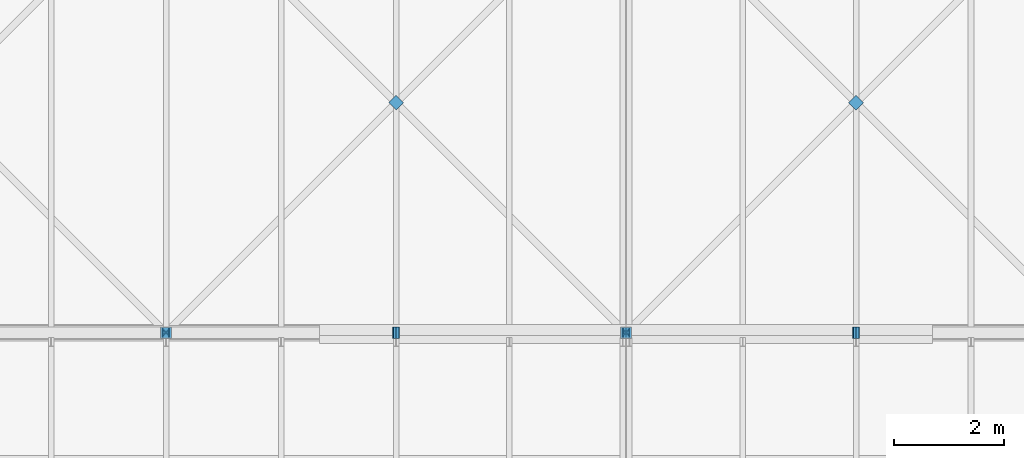
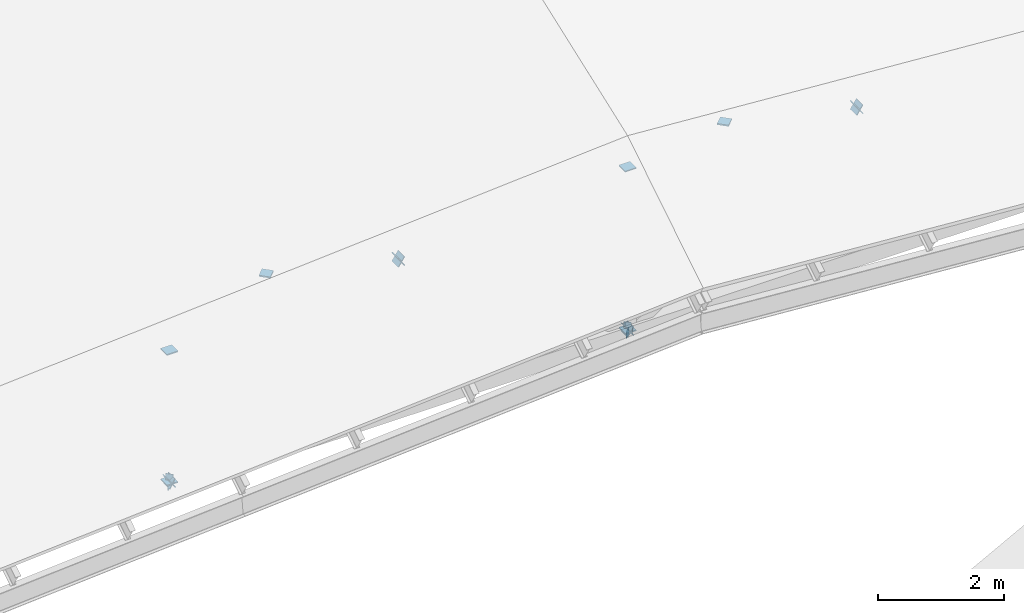
# One storey, part 62 of 76: 18 discrete accessories.
"""IFC4 building model written with IfcOpenShell, lengths in metres."""

import ifcopenshell
import ifcopenshell.guid

model = None  # the IFC model being written
_history = None  # IfcOwnerHistory: only IFC2X3 demands one
_inside = {}  # id of a spatial element -> (the spatial element, [elements in it])
_under = {}  # id of a project, library or spatial element -> (it, [spatial elements below it])
_declared = {}  # id of a project -> (the project, [libraries it declares])
_typed = {}  # id of a type object -> (the type object, [elements of that type])
_made_of = {}  # id of a material, layer set ... -> (it, [elements and type objects made of it])


def new_model(schema):
    """Start an empty IFC model of exactly this schema.

    Asked for "IFC4X3", IfcOpenShell would pick the latest addendum, in which some entities
    have other attributes; the version numbers below select the first issue.
    IFC2X3 requires an IfcOwnerHistory on every rooted entity: one is made here for all.
    """
    global model, _history
    if schema == "IFC4X3":
        model = ifcopenshell.file(schema_version=(4, 3, 0, 0))
    else:
        model = ifcopenshell.file(schema=schema)
    _inside.clear()
    _under.clear()
    _declared.clear()
    _typed.clear()
    _made_of.clear()
    _history = None
    if model.schema == "IFC2X3":
        org = make("IfcOrganization", Name="unknown")
        user = make(
            "IfcPersonAndOrganization",
            ThePerson=make("IfcPerson", FamilyName="unknown"),
            TheOrganization=org,
        )
        app = make(
            "IfcApplication",
            ApplicationDeveloper=org,
            Version="unknown",
            ApplicationFullName="unknown",
            ApplicationIdentifier="unknown",
        )
        _history = make(
            "IfcOwnerHistory",
            OwningUser=user,
            OwningApplication=app,
            ChangeAction="ADDED",
            CreationDate=0,
        )
    return model


def make(cls, **values):
    """One entity of the class cls with the attributes given. An attribute that is None is left unset."""
    return model.create_entity(
        cls, **{name: value for name, value in values.items() if value is not None}
    )


def rooted(cls, **values):
    """An entity with a GlobalId (a new one), such as an element, a storey or a relation."""
    return make(cls, GlobalId=ifcopenshell.guid.new(), OwnerHistory=_history, **values)


def si_unit(unit_type, name, prefix=None):
    """IfcSIUnit, for example si_unit("LENGTHUNIT", "METRE", prefix="MILLI")."""
    return make("IfcSIUnit", UnitType=unit_type, Prefix=prefix, Name=name)


def assignment(units):
    """IfcUnitAssignment: the units of a project."""
    return None if units is None else make("IfcUnitAssignment", Units=units)


def point(xyz):
    """IfcCartesianPoint."""
    return None if xyz is None else make("IfcCartesianPoint", Coordinates=xyz)


def direction(xyz):
    """IfcDirection."""
    return None if xyz is None else make("IfcDirection", DirectionRatios=xyz)


def frame(location, z_axis=None, x_axis=None):
    """IfcAxis2Placement3D, a coordinate frame: its origin and axes. An axis left out is left unset."""
    return make(
        "IfcAxis2Placement3D",
        Location=point(location),
        Axis=direction(z_axis),
        RefDirection=direction(x_axis),
    )


def frame_2d(location, x_axis=None):
    """IfcAxis2Placement2D, a coordinate frame in the plane: its origin and x axis."""
    return make(
        "IfcAxis2Placement2D", Location=point(location), RefDirection=direction(x_axis)
    )


def origin():
    """The frame at (0, 0, 0) with its axes left unset."""
    return frame((0.0, 0.0, 0.0))


def origin_2d():
    """The frame at (0, 0) in the plane with its x axis left unset."""
    return frame_2d((0.0, 0.0))


def place(relative_to, where):
    """IfcLocalPlacement: puts the frame where relative to a parent placement (None: the world)."""
    return make(
        "IfcLocalPlacement", PlacementRelTo=relative_to, RelativePlacement=where
    )


def context(
    kind, dimensions, precision=None, world=None, true_north=None, identifier=None
):
    """IfcGeometricRepresentationContext, for example the 3D "Model" context."""
    return make(
        "IfcGeometricRepresentationContext",
        ContextIdentifier=identifier,
        ContextType=kind,
        CoordinateSpaceDimension=dimensions,
        Precision=precision,
        WorldCoordinateSystem=world,
        TrueNorth=true_north,
    )


def subcontext(parent, identifier, kind, view, scale=None):
    """IfcGeometricRepresentationSubContext, for example "Body" below "Model"."""
    return make(
        "IfcGeometricRepresentationSubContext",
        ContextIdentifier=identifier,
        ContextType=kind,
        ParentContext=parent,
        TargetScale=scale,
        TargetView=view,
    )


def project(units=None, contexts=None):
    """IfcProject with its units and contexts."""
    return rooted(
        "IfcProject",
        Name="project",
        RepresentationContexts=contexts,
        UnitsInContext=assignment(units),
    )


def spatial(cls, under=None, at=None, **own):
    """A site, building, storey or space (cls), placed at a placement, below another one or the project."""
    s = rooted(cls, ObjectPlacement=at, **own)
    if under is not None:
        _under.setdefault(under.id(), (under, []))[1].append(s)
    return s


def profile(cls, at=None, kind="AREA", **sizes):
    """A parametric profile (cls). Its sizes go by their IFC names, for example OverallWidth=200.0."""
    return make(cls, ProfileType=kind, Position=at, **sizes)


def rectangle(**sizes):
    """IfcRectangleProfileDef."""
    return profile("IfcRectangleProfileDef", **sizes)


def extrude(swept, where, along, depth):
    """IfcExtrudedAreaSolid: the profile swept, set in the frame where, extruded along a direction by depth."""
    return make(
        "IfcExtrudedAreaSolid",
        SweptArea=swept,
        Position=where,
        ExtrudedDirection=direction(along),
        Depth=depth,
    )


def shape(context_of_items, identifier, shape_type, items):
    """IfcShapeRepresentation: the items that make up one representation, for example the "Body"."""
    return make(
        "IfcShapeRepresentation",
        ContextOfItems=context_of_items,
        RepresentationIdentifier=identifier,
        RepresentationType=shape_type,
        Items=items,
    )


def material(Name=None, Category=None):
    """IfcMaterial."""
    return make("IfcMaterial", Name=Name, Category=Category)


def made_of(thing, what):
    """Note that an element or type object is made of a material, layer set ...; save() writes the relation."""
    if what is not None:
        _made_of.setdefault(what.id(), (what, []))[1].append(thing)
    return thing


def element(
    cls,
    number,
    at=None,
    inside=None,
    cuts=None,
    type_object=None,
    material=None,
    context=None,
    identifier="Body",
    shape_type=None,
    held_by="IfcProductDefinitionShape",
    body=None,
    shapes=None,
    **own,
):
    """One element of the class cls, such as IfcWall. Its Tag is "e" and its number.

    at: its placement. inside: the storey or other place that contains it. cuts: it is an
    opening in that element (IfcRelVoidsElement). A single representation is given by context,
    identifier, shape_type and body (its items); several are given by shapes. held_by: the class
    of the entity that holds the representations. save() writes the other relations.
    """
    e = rooted(cls, Tag="e%d" % number, ObjectPlacement=at, **own)
    if body is not None:
        shapes = [shape(context, identifier, shape_type, body)]
    if shapes is not None:
        e.Representation = make(held_by, Representations=shapes)
    if inside is not None:
        _inside.setdefault(inside.id(), (inside, []))[1].append(e)
    if cuts is not None:
        rooted(
            "IfcRelVoidsElement", RelatingBuildingElement=cuts, RelatedOpeningElement=e
        )
    if type_object is not None:
        _typed.setdefault(type_object.id(), (type_object, []))[1].append(e)
    return made_of(e, material)


def aggregate(whole, parts):
    """IfcRelAggregates: a whole, such as a stair, and the parts it consists of."""
    return rooted("IfcRelAggregates", RelatingObject=whole, RelatedObjects=parts)


def save(model, path):
    """Write the relations noted so far, then the file.

    IfcRelAggregates (storeys below a building ...), IfcRelContainedInSpatialStructure (elements
    in a storey), IfcRelDefinesByType, IfcRelAssociatesMaterial and IfcRelDeclares: one each for
    every whole, place, type object, material and project.
    """
    for whole, parts in _under.values():
        aggregate(whole, parts)
    for where, things in _inside.values():
        rooted(
            "IfcRelContainedInSpatialStructure",
            RelatedElements=things,
            RelatingStructure=where,
        )
    for kind, things in _typed.values():
        rooted("IfcRelDefinesByType", RelatedObjects=things, RelatingType=kind)
    for what, things in _made_of.values():
        rooted("IfcRelAssociatesMaterial", RelatedObjects=things, RelatingMaterial=what)
    for by, libraries in _declared.values():
        rooted("IfcRelDeclares", RelatingContext=by, RelatedDefinitions=libraries)
    model.write(path)


model = new_model("IFC4")

# Units and contexts
model_context = context("Model", 3, precision=1e-05, world=origin(), true_north=direction((0.0, 1.0)))
body_context = subcontext(model_context, "Body", "Model", "MODEL_VIEW")
ifc_project = project(units=[si_unit("LENGTHUNIT", "METRE"), si_unit("AREAUNIT", "SQUARE_METRE"), si_unit("VOLUMEUNIT", "CUBIC_METRE"), si_unit("PLANEANGLEUNIT", "RADIAN"), si_unit("MASSUNIT", "GRAM", prefix="KILO")], contexts=[model_context])

# Site, building, storey
site_placement = place(None, origin())
site = spatial("IfcSite", under=ifc_project, at=site_placement, CompositionType="ELEMENT")
building_placement = place(site_placement, origin())
building = spatial("IfcBuilding", under=site, at=building_placement, Name="Hlaing Beacon Police Headquarters", CompositionType="ELEMENT")
storey_placement = place(building_placement, frame((0.0, 0.0, 18.89990234375)))
storey = spatial("IfcBuildingStorey", under=building, at=storey_placement, Name="L04", CompositionType="ELEMENT", Elevation=18.89990234375)

# Discrete accessories
ifc_material = material(Name="Steel ASTM A572 Grade 50", Category="steel")
for number, where, z_axis, x_axis, name in (
    (1, (42.0, 75.60009765625, -2.53759765625), (0.0, 0.0, -1.0), (1.0, 0.0, 0.0), "Gusset plate GP-417"),
    (2, (42.0, 75.60009765625, -0.025634765625), (0.0, 0.0, 1.0), (1.0, 0.0, 0.0), "Gusset plate GP-418"),
    (3, (50.39990234375, 75.60009765625, -2.53759765625), (0.0, 0.0, -1.0), (1.0, 0.0, 0.0), "Gusset plate GP-419"),
    (4, (50.39990234375, 75.60009765625, 0.586181640625), (0.0, 0.0, 1.0), (1.0, 0.0, 0.0), "Gusset plate GP-420"),
):
    element("IfcDiscreteAccessory", number, at=place(storey_placement, frame(where, z_axis=z_axis, x_axis=x_axis)), inside=storey, material=ifc_material, Name=name, PredefinedType="BRACKET", context=body_context, shape_type="SweptSolid", body=[
        extrude(rectangle(XDim=0.203125, YDim=0.203125, at=origin_2d()), origin(), (0.0, 0.0, 1.0), 0.02001953125),
    ])
for number, where, z_axis, x_axis, name in (
    (5, (41.992919921875, 75.60009765625, -2.5439453125), (0.883053903014, 0.0, -0.469271567828), (0.0, 1.0, 0.0), "Gusset plate GP-428"),
    (6, (42.006591796875, 75.60009765625, -2.543212890625), (-0.829139670788, 0.0, -0.5590415068), (0.0, -1.0, 0.0), "Gusset plate GP-429"),
    (7, (46.193359375, 75.60009765625, 0.27978515625), (0.829139670788, 0.0, 0.5590415068), (0.0, 1.0, 0.0), "Gusset plate GP-430"),
    (8, (46.20654296875, 75.60009765625, 0.27978515625), (-0.829139670788, 0.0, 0.5590415068), (0.0, -1.0, 0.0), "Gusset plate GP-431"),
    (9, (50.393310546875, 75.60009765625, -2.543212890625), (0.829139670788, 0.0, -0.5590415068), (0.0, 1.0, 0.0), "Gusset plate GP-432"),
    (10, (50.406494140625, 75.60009765625, -2.543212890625), (-0.82915473289, 0.0, -0.559019166868), (0.0, -1.0, 0.0), "Gusset plate GP-433"),
    (11, (54.593505859375, 75.60009765625, 0.27978515625), (0.82915473289, 0.0, 0.559019166868), (0.0, 1.0, 0.0), "Gusset plate GP-434"),
    (12, (54.606689453125, 75.60009765625, 0.27978515625), (-0.829139670788, 0.0, 0.5590415068), (0.0, -1.0, 0.0), "Gusset plate GP-435"),
):
    element("IfcDiscreteAccessory", number, at=place(storey_placement, frame(where, z_axis=z_axis, x_axis=x_axis)), inside=storey, material=ifc_material, Name=name, PredefinedType="BRACKET", context=body_context, shape_type="SweptSolid", body=[
        extrude(rectangle(XDim=0.203125, YDim=0.203125, at=origin_2d()), origin(), (0.0, 0.0, 1.0), 0.01611328125),
    ])
for number, where, z_axis, x_axis, name in (
    (13, (41.99560546875, 75.6044921875, -2.62109375), (0.707106781187, -0.707106781187, 0.0), (0.707106781187, 0.707106781187, 0.0), "Gusset plate GP-496"),
    (14, (42.004150390625, 75.604248046875, -2.47412109375), (-0.707106781187, -0.707106781187, 0.0), (0.707106781187, -0.707106781187, 0.0), "Gusset plate GP-497"),
    (15, (50.3955078125, 75.6044921875, -2.62109375), (0.707106781187, -0.707106781187, 0.0), (0.707106781187, 0.707106781187, 0.0), "Gusset plate GP-500"),
    (16, (50.404052734375, 75.604248046875, -2.47412109375), (-0.707117056885, -0.707096505339, 0.0), (0.707096505339, -0.707117056885, 0.0), "Gusset plate GP-501"),
):
    element("IfcDiscreteAccessory", number, at=place(storey_placement, frame(where, z_axis=z_axis, x_axis=x_axis)), inside=storey, material=ifc_material, Name=name, PredefinedType="BRACKET", context=body_context, shape_type="SweptSolid", body=[
        extrude(rectangle(XDim=0.126953125, YDim=0.126953125, at=origin_2d()), origin(), (0.0, 0.0, 1.0), 0.011962890625),
    ])
for number, where, z_axis, x_axis, name in (
    (17, (46.199951171875, 79.800048828125, -2.560546875), (0.0, 0.0, 1.0), (0.707106781187, 0.707106781187, 0.0), "Node plate NP-010"),
    (18, (54.60009765625, 79.800048828125, -2.560546875), (0.0, 0.0, 1.0), (0.707106781187, 0.707106781187, 0.0), "Node plate NP-011"),
):
    element("IfcDiscreteAccessory", number, at=place(storey_placement, frame(where, z_axis=z_axis, x_axis=x_axis)), inside=storey, material=ifc_material, Name=name, PredefinedType="BRACKET", context=body_context, shape_type="SweptSolid", body=[
        extrude(rectangle(XDim=0.1904296875, YDim=0.1904296875, at=origin_2d()), origin(), (0.0, 0.0, 1.0), 0.02587890625),
    ])

save(model, "model.ifc")
